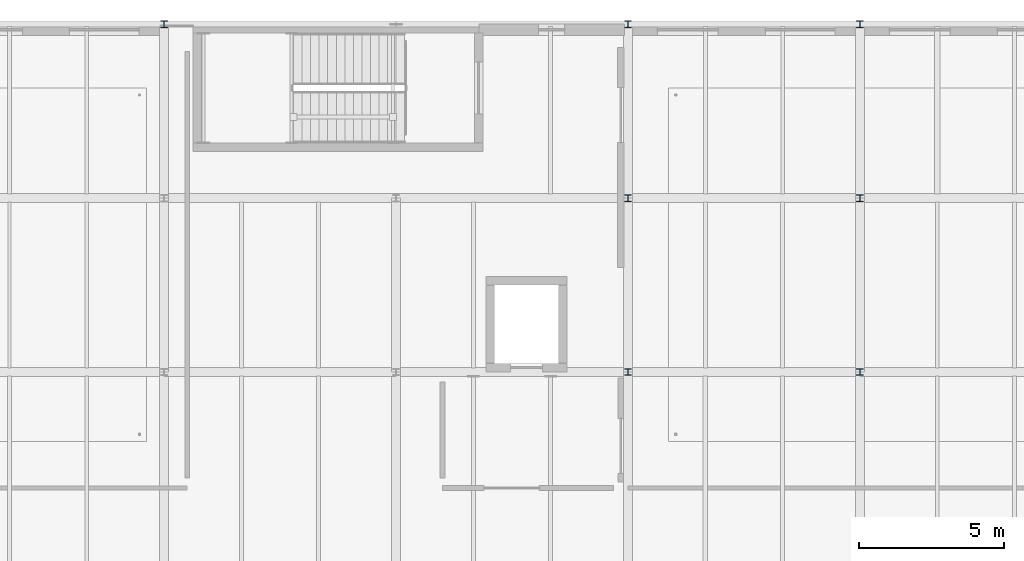
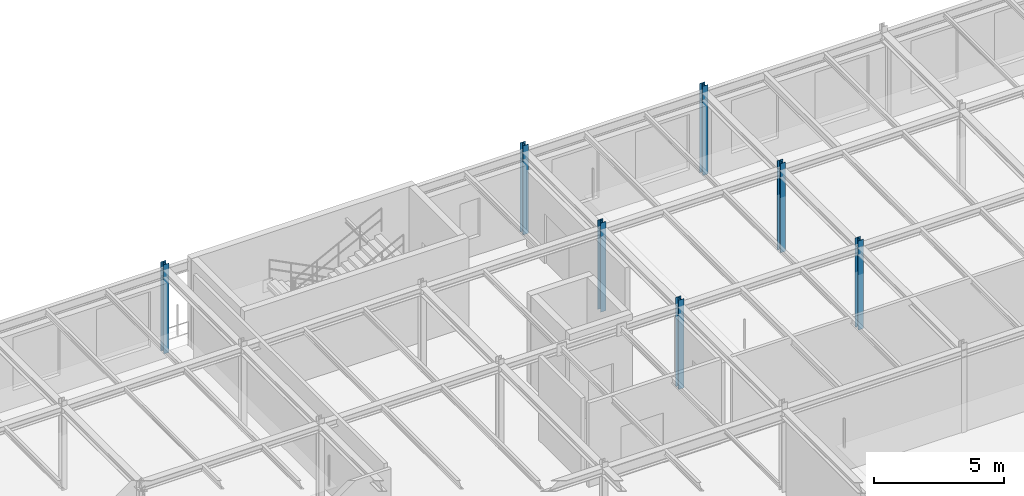
# One storey, part 9 of 124: 7 columns.
"""IFC4 building model written with IfcOpenShell, lengths in metres."""

import ifcopenshell
import ifcopenshell.guid

model = None  # the IFC model being written
_history = None  # IfcOwnerHistory: only IFC2X3 demands one
_inside = {}  # id of a spatial element -> (the spatial element, [elements in it])
_under = {}  # id of a project, library or spatial element -> (it, [spatial elements below it])
_declared = {}  # id of a project -> (the project, [libraries it declares])
_typed = {}  # id of a type object -> (the type object, [elements of that type])
_made_of = {}  # id of a material, layer set ... -> (it, [elements and type objects made of it])


def new_model(schema):
    """Start an empty IFC model of exactly this schema.

    Asked for "IFC4X3", IfcOpenShell would pick the latest addendum, in which some entities
    have other attributes; the version numbers below select the first issue.
    IFC2X3 requires an IfcOwnerHistory on every rooted entity: one is made here for all.
    """
    global model, _history
    if schema == "IFC4X3":
        model = ifcopenshell.file(schema_version=(4, 3, 0, 0))
    else:
        model = ifcopenshell.file(schema=schema)
    _inside.clear()
    _under.clear()
    _declared.clear()
    _typed.clear()
    _made_of.clear()
    _history = None
    if model.schema == "IFC2X3":
        org = make("IfcOrganization", Name="unknown")
        user = make(
            "IfcPersonAndOrganization",
            ThePerson=make("IfcPerson", FamilyName="unknown"),
            TheOrganization=org,
        )
        app = make(
            "IfcApplication",
            ApplicationDeveloper=org,
            Version="unknown",
            ApplicationFullName="unknown",
            ApplicationIdentifier="unknown",
        )
        _history = make(
            "IfcOwnerHistory",
            OwningUser=user,
            OwningApplication=app,
            ChangeAction="ADDED",
            CreationDate=0,
        )
    return model


def make(cls, **values):
    """One entity of the class cls with the attributes given. An attribute that is None is left unset."""
    return model.create_entity(
        cls, **{name: value for name, value in values.items() if value is not None}
    )


def rooted(cls, **values):
    """An entity with a GlobalId (a new one), such as an element, a storey or a relation."""
    return make(cls, GlobalId=ifcopenshell.guid.new(), OwnerHistory=_history, **values)


def si_unit(unit_type, name, prefix=None):
    """IfcSIUnit, for example si_unit("LENGTHUNIT", "METRE", prefix="MILLI")."""
    return make("IfcSIUnit", UnitType=unit_type, Prefix=prefix, Name=name)


def assignment(units):
    """IfcUnitAssignment: the units of a project."""
    return None if units is None else make("IfcUnitAssignment", Units=units)


def point(xyz):
    """IfcCartesianPoint."""
    return None if xyz is None else make("IfcCartesianPoint", Coordinates=xyz)


def direction(xyz):
    """IfcDirection."""
    return None if xyz is None else make("IfcDirection", DirectionRatios=xyz)


def frame(location, z_axis=None, x_axis=None):
    """IfcAxis2Placement3D, a coordinate frame: its origin and axes. An axis left out is left unset."""
    return make(
        "IfcAxis2Placement3D",
        Location=point(location),
        Axis=direction(z_axis),
        RefDirection=direction(x_axis),
    )


def frame_2d(location, x_axis=None):
    """IfcAxis2Placement2D, a coordinate frame in the plane: its origin and x axis."""
    return make(
        "IfcAxis2Placement2D", Location=point(location), RefDirection=direction(x_axis)
    )


def origin():
    """The frame at (0, 0, 0) with its axes left unset."""
    return frame((0.0, 0.0, 0.0))


def origin_2d():
    """The frame at (0, 0) in the plane with its x axis left unset."""
    return frame_2d((0.0, 0.0))


def place(relative_to, where):
    """IfcLocalPlacement: puts the frame where relative to a parent placement (None: the world)."""
    return make(
        "IfcLocalPlacement", PlacementRelTo=relative_to, RelativePlacement=where
    )


def context(
    kind, dimensions, precision=None, world=None, true_north=None, identifier=None
):
    """IfcGeometricRepresentationContext, for example the 3D "Model" context."""
    return make(
        "IfcGeometricRepresentationContext",
        ContextIdentifier=identifier,
        ContextType=kind,
        CoordinateSpaceDimension=dimensions,
        Precision=precision,
        WorldCoordinateSystem=world,
        TrueNorth=true_north,
    )


def subcontext(parent, identifier, kind, view, scale=None):
    """IfcGeometricRepresentationSubContext, for example "Body" below "Model"."""
    return make(
        "IfcGeometricRepresentationSubContext",
        ContextIdentifier=identifier,
        ContextType=kind,
        ParentContext=parent,
        TargetScale=scale,
        TargetView=view,
    )


def project(units=None, contexts=None):
    """IfcProject with its units and contexts."""
    return rooted(
        "IfcProject",
        Name="project",
        RepresentationContexts=contexts,
        UnitsInContext=assignment(units),
    )


def spatial(cls, under=None, at=None, **own):
    """A site, building, storey or space (cls), placed at a placement, below another one or the project."""
    s = rooted(cls, ObjectPlacement=at, **own)
    if under is not None:
        _under.setdefault(under.id(), (under, []))[1].append(s)
    return s


def profile(cls, at=None, kind="AREA", **sizes):
    """A parametric profile (cls). Its sizes go by their IFC names, for example OverallWidth=200.0."""
    return make(cls, ProfileType=kind, Position=at, **sizes)


def i_section(**sizes):
    """IfcIShapeProfileDef."""
    return profile("IfcIShapeProfileDef", **sizes)


def extrude(swept, where, along, depth):
    """IfcExtrudedAreaSolid: the profile swept, set in the frame where, extruded along a direction by depth."""
    return make(
        "IfcExtrudedAreaSolid",
        SweptArea=swept,
        Position=where,
        ExtrudedDirection=direction(along),
        Depth=depth,
    )


def shape(context_of_items, identifier, shape_type, items):
    """IfcShapeRepresentation: the items that make up one representation, for example the "Body"."""
    return make(
        "IfcShapeRepresentation",
        ContextOfItems=context_of_items,
        RepresentationIdentifier=identifier,
        RepresentationType=shape_type,
        Items=items,
    )


def material(Name=None, Category=None):
    """IfcMaterial."""
    return make("IfcMaterial", Name=Name, Category=Category)


def material_profile(
    of_material, cross_section, Name=None, Category=None, Priority=None
):
    """IfcMaterialProfile: a cross section and its material."""
    return make(
        "IfcMaterialProfile",
        Name=Name,
        Material=of_material,
        Profile=cross_section,
        Priority=Priority,
        Category=Category,
    )


def profile_set(profiles, Name=None, composite=None):
    """IfcMaterialProfileSet."""
    return make(
        "IfcMaterialProfileSet",
        Name=Name,
        MaterialProfiles=profiles,
        CompositeProfile=composite,
    )


def made_of(thing, what):
    """Note that an element or type object is made of a material, layer set ...; save() writes the relation."""
    if what is not None:
        _made_of.setdefault(what.id(), (what, []))[1].append(thing)
    return thing


def type_object(cls, material=None, **own):
    """A type object (cls), such as IfcWallType, which elements share."""
    return made_of(rooted(cls, **own), material)


def element(
    cls,
    number,
    at=None,
    inside=None,
    cuts=None,
    type_object=None,
    material=None,
    context=None,
    identifier="Body",
    shape_type=None,
    held_by="IfcProductDefinitionShape",
    body=None,
    shapes=None,
    **own,
):
    """One element of the class cls, such as IfcWall. Its Tag is "e" and its number.

    at: its placement. inside: the storey or other place that contains it. cuts: it is an
    opening in that element (IfcRelVoidsElement). A single representation is given by context,
    identifier, shape_type and body (its items); several are given by shapes. held_by: the class
    of the entity that holds the representations. save() writes the other relations.
    """
    e = rooted(cls, Tag="e%d" % number, ObjectPlacement=at, **own)
    if body is not None:
        shapes = [shape(context, identifier, shape_type, body)]
    if shapes is not None:
        e.Representation = make(held_by, Representations=shapes)
    if inside is not None:
        _inside.setdefault(inside.id(), (inside, []))[1].append(e)
    if cuts is not None:
        rooted(
            "IfcRelVoidsElement", RelatingBuildingElement=cuts, RelatedOpeningElement=e
        )
    if type_object is not None:
        _typed.setdefault(type_object.id(), (type_object, []))[1].append(e)
    return made_of(e, material)


def aggregate(whole, parts):
    """IfcRelAggregates: a whole, such as a stair, and the parts it consists of."""
    return rooted("IfcRelAggregates", RelatingObject=whole, RelatedObjects=parts)


def save(model, path):
    """Write the relations noted so far, then the file.

    IfcRelAggregates (storeys below a building ...), IfcRelContainedInSpatialStructure (elements
    in a storey), IfcRelDefinesByType, IfcRelAssociatesMaterial and IfcRelDeclares: one each for
    every whole, place, type object, material and project.
    """
    for whole, parts in _under.values():
        aggregate(whole, parts)
    for where, things in _inside.values():
        rooted(
            "IfcRelContainedInSpatialStructure",
            RelatedElements=things,
            RelatingStructure=where,
        )
    for kind, things in _typed.values():
        rooted("IfcRelDefinesByType", RelatedObjects=things, RelatingType=kind)
    for what, things in _made_of.values():
        rooted("IfcRelAssociatesMaterial", RelatedObjects=things, RelatingMaterial=what)
    for by, libraries in _declared.values():
        rooted("IfcRelDeclares", RelatingContext=by, RelatedDefinitions=libraries)
    model.write(path)


model = new_model("IFC4")

# Units and contexts
model_context = context("Model", 3, precision=1e-05, world=origin(), true_north=direction((0.0, 1.0)))
body_context = subcontext(model_context, "Body", "Model", "MODEL_VIEW")
ifc_project = project(units=[si_unit("LENGTHUNIT", "METRE"), si_unit("AREAUNIT", "SQUARE_METRE"), si_unit("VOLUMEUNIT", "CUBIC_METRE"), si_unit("PLANEANGLEUNIT", "RADIAN"), si_unit("MASSUNIT", "GRAM", prefix="KILO")], contexts=[model_context])

# Site, building, storey
site_placement = place(None, origin())
site = spatial("IfcSite", under=ifc_project, at=site_placement, CompositionType="ELEMENT")
building_placement = place(site_placement, origin())
building = spatial("IfcBuilding", under=site, at=building_placement, Name="Sundkrona Museum", CompositionType="ELEMENT")
storey_placement = place(building_placement, frame((0.0, 0.0, 17.60009765625)))
storey = spatial("IfcBuildingStorey", under=building, at=storey_placement, Name="L03", CompositionType="ELEMENT", Elevation=17.60009765625)

# Columns
ifc_material = material(Name="Steel S355J2", Category="steel")
ifc_material_profile = material_profile(ifc_material, i_section(OverallWidth=0.239990234375, OverallDepth=0.239990234375, WebThickness=0.010009765625, FlangeThickness=0.01708984375, FilletRadius=0.02099609375, at=origin_2d()), Name="HEB 240")
ifc_profile_set = profile_set([ifc_material_profile], Name="Steel S355J2")
column_type = type_object("IfcColumnType", Name="C-HEB240", PredefinedType="COLUMN", material=ifc_profile_set)
for number, where, z_axis, x_axis, name in (
    (1, (40.0, 114.0, 0.0), (0.0, 0.0, 1.0), (1.0, 0.0, 0.0), "L03 Column R/6"),
    (2, (56.0, 102.0, 0.0), (0.0, 0.0, 1.0), (1.0, 0.0, 0.0), "L03 Column P/8"),
    (3, (56.0, 108.0, 0.0), (0.0, 0.0, 1.0), (1.0, 0.0, 0.0), "L03 Column Q/8"),
    (4, (56.0, 114.0, 0.0), (0.0, 0.0, 1.0), (1.0, 0.0, 0.0), "L03 Column R/8"),
    (5, (64.0, 102.0, 0.0), (0.0, 0.0, 1.0), (1.0, 0.0, 0.0), "L03 Column P/9"),
    (6, (64.0, 108.0, 0.0), (0.0, 0.0, 1.0), (1.0, 0.0, 0.0), "L03 Column Q/9"),
    (7, (64.0, 114.0, 0.0), (0.0, 0.0, 1.0), (1.0, 0.0, 0.0), "L03 Column R/9"),
):
    element("IfcColumn", number, at=place(storey_placement, frame(where, z_axis=z_axis, x_axis=x_axis)), inside=storey, type_object=column_type, Name=name, PredefinedType="COLUMN", context=body_context, shape_type="SweptSolid", body=[
        extrude(i_section(OverallWidth=0.239990234375, OverallDepth=0.239990234375, WebThickness=0.010009765625, FlangeThickness=0.01708984375, FilletRadius=0.02099609375, at=origin_2d()), origin(), (0.0, 0.0, 1.0), 4.199951171875),
    ])

save(model, "model.ifc")
